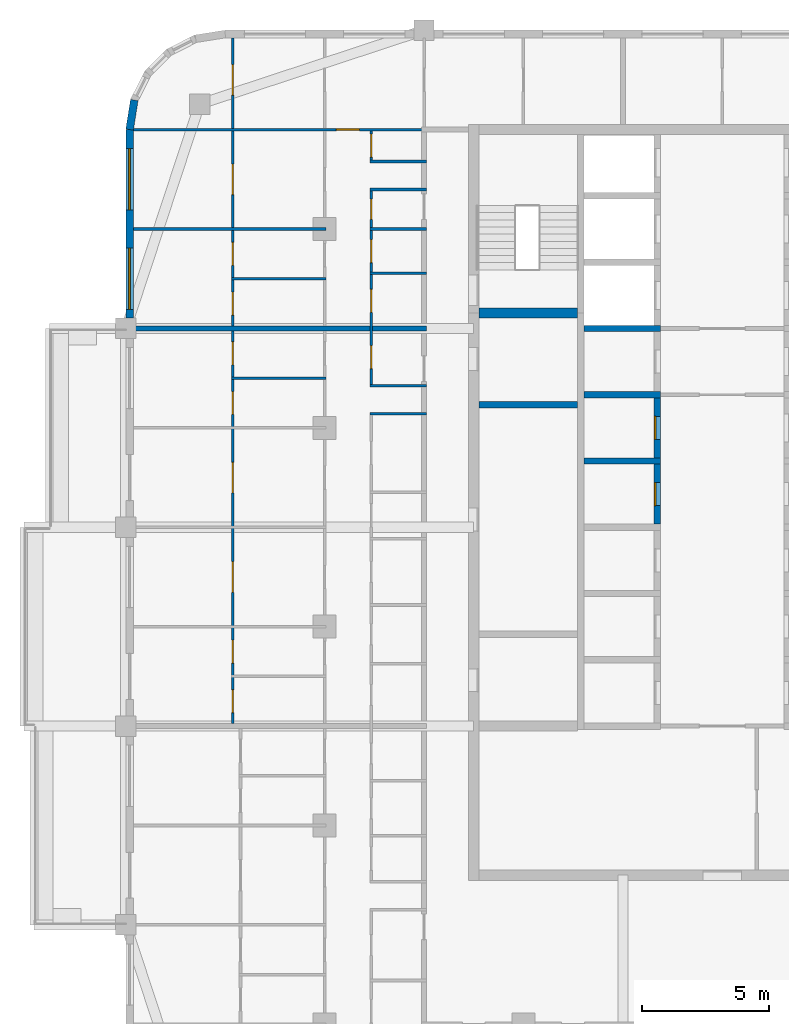
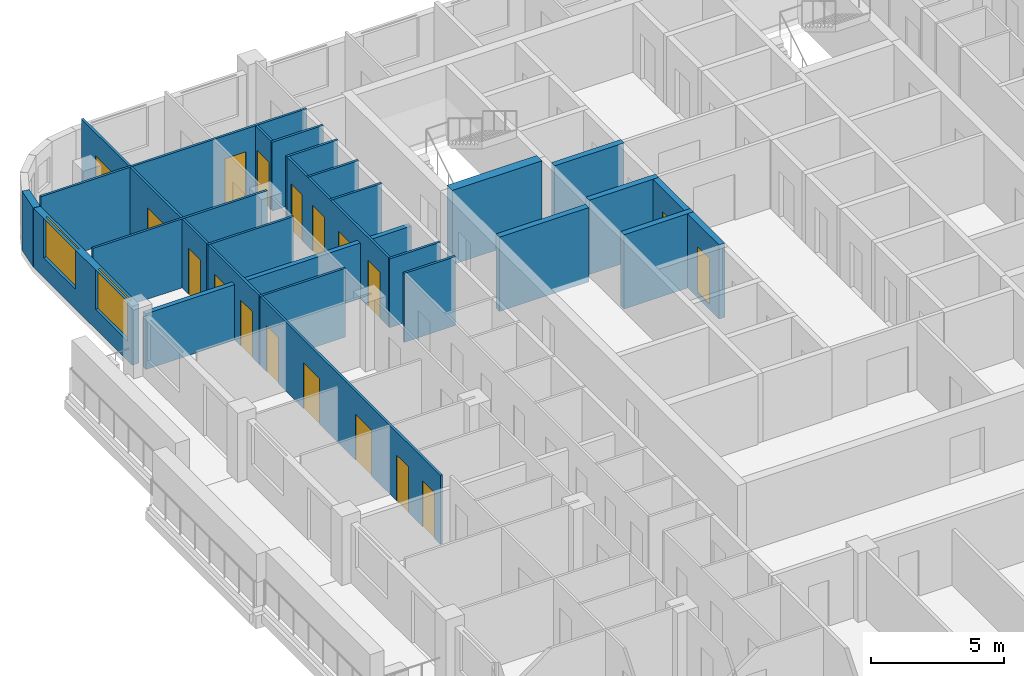
# One storey, part 8 of 16: 23 walls, 18 doors, 2 windows, 20 openings.
"""IFC4 building model written with IfcOpenShell, lengths in metres."""

from ifc_helpers import new_model, si_unit, direction, frame, frame_2d, origin, place, context, subcontext, project, spatial, rectangle, extrude, material, layer, layer_set, type_object, element, fill, save


model = new_model("IFC4")

# Units and contexts
model_context = context("Model", 3, precision=1e-05, world=origin(), true_north=direction((0.0, 1.0)))
body_context = subcontext(model_context, "Body", "Model", "MODEL_VIEW")
ifc_project = project(units=[si_unit("LENGTHUNIT", "METRE"), si_unit("AREAUNIT", "SQUARE_METRE"), si_unit("VOLUMEUNIT", "CUBIC_METRE"), si_unit("PLANEANGLEUNIT", "RADIAN"), si_unit("MASSUNIT", "GRAM", prefix="KILO")], contexts=[model_context])

# Site, building, storey
site_placement = place(None, origin())
site = spatial("IfcSite", under=ifc_project, at=site_placement, CompositionType="ELEMENT")
building_placement = place(site_placement, origin())
building = spatial("IfcBuilding", under=site, at=building_placement, Name="Ludao Terraces", CompositionType="ELEMENT")
storey_placement = place(building_placement, frame((0.0, 0.0, 204.10009765625)))
storey = spatial("IfcBuildingStorey", under=building, at=storey_placement, Name="L55", CompositionType="ELEMENT", Elevation=204.10009765625)

# Wall, openings, windows
ifc_material_1 = material(Name="Granite cladding", Category="masonry")
ifc_layer_1 = layer(ifc_material_1, 0.0400390625, Category="stone")
ifc_material_2 = material(Name="Mineral wool")
ifc_layer_2 = layer(ifc_material_2, 0.06005859375)
ifc_material_3 = material(Name="Concrete C40", Category="concrete")
ifc_layer_3 = layer(ifc_material_3, 0.199951171875, Category="concrete")
ifc_layer_set_1 = layer_set([ifc_layer_1, ifc_layer_2, ifc_layer_3], Name="ENV Stone-clad wall 300")
wall_type_1 = type_object("IfcWallType", Name="ENV Stone-clad wall 300", PredefinedType="SOLIDWALL", material=ifc_layer_set_1)
wall_1_placement = place(storey_placement, frame((61.75, 77.10009765625, 0.0), z_axis=(0.0, 0.0, 1.0), x_axis=(0.0, 1.0, 0.0)))
wall_1 = element("IfcWall", 1, at=wall_1_placement, inside=storey, type_object=wall_type_1, Name="EW-L55-W5", PredefinedType="SOLIDWALL", context=body_context, shape_type="SweptSolid", body=[
    extrude(rectangle(XDim=7.39990234375, YDim=0.300048828125, at=frame_2d((3.699951171875, 0.0))), origin(), (0.0, 0.0, 1.0), 2.699951171875),
])
opening_1_placement = place(wall_1_placement, frame((0.35009765625, 0.0, 0.89990234375)))
opening_1 = element("IfcOpeningElement", 2, at=opening_1_placement, cuts=wall_1, Name="Opening W1", PredefinedType="OPENING", context=body_context, shape_type="SweptSolid", body=[
    extrude(rectangle(XDim=2.39990234375, YDim=1.800048828125, at=frame_2d((1.199951171875, 0.89990234375))), frame((0.0, 0.16015625, 0.0), z_axis=(0.0, -1.0, 0.0), x_axis=(1.0, 0.0, 0.0)), (0.0, 0.0, 1.0), 0.320068359375),
])
opening_2_placement = place(wall_1_placement, frame((4.25, 0.0, 0.89990234375)))
opening_2 = element("IfcOpeningElement", 3, at=opening_2_placement, cuts=wall_1, Name="Opening W1", PredefinedType="OPENING", context=body_context, shape_type="SweptSolid", body=[
    extrude(rectangle(XDim=2.39990234375, YDim=1.800048828125, at=frame_2d((1.199951171875, 0.89990234375))), frame((0.0, 0.16015625, 0.0), z_axis=(0.0, -1.0, 0.0), x_axis=(1.0, 0.0, 0.0)), (0.0, 0.0, 1.0), 0.320068359375),
])
ifc_material_4 = material(Name="Clear glass in aluminium frame", Category="aluminium")
ifc_layer_4 = layer(ifc_material_4, 0.06005859375)
ifc_layer_set_2 = layer_set([ifc_layer_4], Name="ENV Window W1 2400x1800")
window_type = type_object("IfcWindowType", Name="ENV Window W1 2400x1800", PartitioningType="DOUBLE_PANEL_VERTICAL", PredefinedType="WINDOW", material=ifc_layer_set_2)
window_1_placement = place(opening_1_placement, origin())
window_1 = element("IfcWindow", 4, at=window_1_placement, inside=storey, type_object=window_type, Name="W-L55-W5-1", OverallHeight=1.800048828125, OverallWidth=2.39990234375, PartitioningType="DOUBLE_PANEL_VERTICAL", PredefinedType="WINDOW", context=body_context, shape_type="SweptSolid", body=[
    extrude(rectangle(XDim=2.39990234375, YDim=1.800048828125, at=frame_2d((1.199951171875, 0.89990234375))), frame((0.0, 0.030029296875, 0.0), z_axis=(0.0, -1.0, 0.0), x_axis=(1.0, 0.0, 0.0)), (0.0, 0.0, 1.0), 0.06005859375),
])
fill(opening_1, window_1)
window_2_placement = place(opening_2_placement, origin())
window_2 = element("IfcWindow", 5, at=window_2_placement, inside=storey, type_object=window_type, Name="W-L55-W5-2", OverallHeight=1.800048828125, OverallWidth=2.39990234375, PartitioningType="DOUBLE_PANEL_VERTICAL", PredefinedType="WINDOW", context=body_context, shape_type="SweptSolid", body=[
    extrude(rectangle(XDim=2.39990234375, YDim=1.800048828125, at=frame_2d((1.199951171875, 0.89990234375))), frame((0.0, 0.030029296875, 0.0), z_axis=(0.0, -1.0, 0.0), x_axis=(1.0, 0.0, 0.0)), (0.0, 0.0, 1.0), 0.06005859375),
])
fill(opening_2, window_2)

# Walls
wall_2_placement = place(storey_placement, frame((61.93359375, 85.65869140625, 0.0), z_axis=(0.0, 0.0, 1.0), x_axis=(-0.156496880861, -0.987678452879, 0.0)))
element("IfcWall", 6, at=wall_2_placement, inside=storey, type_object=wall_type_1, Name="EW-L55-NW5", PredefinedType="SOLIDWALL", context=body_context, shape_type="SweptSolid", body=[
    extrude(rectangle(XDim=1.173095703125, YDim=0.300048828125, at=frame_2d((0.58642578125, 0.0))), origin(), (0.0, 0.0, 1.0), 2.699951171875),
])
ifc_material_5 = material(Name="Gypsum plasterboard", Category="gypsum")
ifc_layer_5 = layer(ifc_material_5, 0.012451171875, Category="gypsum")
ifc_layer_6 = layer(ifc_material_2, 0.06005859375, Name="insulation")
ifc_material_6 = material(Name="Steel Q235", Category="steel")
ifc_layer_7 = layer(ifc_material_6, 0.014892578125, Name="stud")
ifc_layer_8 = layer(ifc_material_5, 0.012451171875, Category="gypsum")
ifc_layer_set_3 = layer_set([ifc_layer_5, ifc_layer_6, ifc_layer_7, ifc_layer_8], Name="INT Partition 100")
wall_type_2 = type_object("IfcWallType", Name="INT Partition 100", PredefinedType="PARTITIONING", material=ifc_layer_set_3)
for number, where, z_axis, x_axis, name in (
    (7, (71.18017578125, 73.35009765625, 0.0), (0.0, 0.0, 1.0), (1.0, 0.0, 0.0), "PW-L55-PW046"),
    (8, (71.18017578125, 74.449951171875, 0.0), (0.0, 0.0, 1.0), (1.0, 0.0, 0.0), "PW-L55-PW048"),
):
    element("IfcWall", number, at=place(storey_placement, frame(where, z_axis=z_axis, x_axis=x_axis)), inside=storey, type_object=wall_type_2, Name=name, PredefinedType="PARTITIONING", context=body_context, shape_type="SweptSolid", body=[
        extrude(rectangle(XDim=2.219970703125, YDim=0.10009765625, at=frame_2d((1.10986328125, 0.0))), origin(), (0.0, 0.0, 1.0), 3.14990234375),
    ])
for number, where, z_axis, x_axis, name in (
    (9, (65.75, 74.75, 0.0), (0.0, 0.0, 1.0), (1.0, 0.0, 0.0), "PW-L55-PW049"),
    (10, (65.75, 78.64990234375, 0.0), (0.0, 0.0, 1.0), (1.0, 0.0, 0.0), "PW-L55-PW057"),
):
    element("IfcWall", number, at=place(storey_placement, frame(where, z_axis=z_axis, x_axis=x_axis)), inside=storey, type_object=wall_type_2, Name=name, PredefinedType="PARTITIONING", context=body_context, shape_type="SweptSolid", body=[
        extrude(rectangle(XDim=3.7001953125, YDim=0.10009765625, at=frame_2d((1.85009765625, 0.0))), origin(), (0.0, 0.0, 1.0), 3.14990234375),
    ])
wall_3_placement = place(storey_placement, frame((71.18017578125, 78.8701171875, 0.0), z_axis=(0.0, 0.0, 1.0), x_axis=(1.0, 0.0, 0.0)))
element("IfcWall", 11, at=wall_3_placement, inside=storey, type_object=wall_type_2, Name="PW-L55-PW058", PredefinedType="PARTITIONING", context=body_context, shape_type="SweptSolid", body=[
    extrude(rectangle(XDim=2.219970703125, YDim=0.10009765625, at=frame_2d((1.10986328125, 0.0))), origin(), (0.0, 0.0, 1.0), 3.14990234375),
])
wall_4_placement = place(storey_placement, frame((61.900146484375, 80.60009765625, 0.0), z_axis=(0.0, 0.0, 1.0), x_axis=(1.0, 0.0, 0.0)))
element("IfcWall", 12, at=wall_4_placement, inside=storey, type_object=wall_type_2, Name="PW-L55-PW059", PredefinedType="PARTITIONING", context=body_context, shape_type="SweptSolid", body=[
    extrude(rectangle(XDim=7.550048828125, YDim=0.10009765625, at=frame_2d((3.77490234375, 0.0))), origin(), (0.0, 0.0, 1.0), 3.14990234375),
])
for number, where, z_axis, x_axis, name in (
    (13, (71.18017578125, 80.60009765625, 0.0), (0.0, 0.0, 1.0), (1.0, 0.0, 0.0), "PW-L55-PW060"),
    (14, (71.18017578125, 82.14990234375, 0.0), (0.0, 0.0, 1.0), (1.0, 0.0, 0.0), "PW-L55-PW063"),
    (15, (71.18017578125, 83.25, 0.0), (0.0, 0.0, 1.0), (1.0, 0.0, 0.0), "PW-L55-PW065"),
):
    element("IfcWall", number, at=place(storey_placement, frame(where, z_axis=z_axis, x_axis=x_axis)), inside=storey, type_object=wall_type_2, Name=name, PredefinedType="PARTITIONING", context=body_context, shape_type="SweptSolid", body=[
        extrude(rectangle(XDim=2.219970703125, YDim=0.10009765625, at=frame_2d((1.10986328125, 0.0))), origin(), (0.0, 0.0, 1.0), 3.14990234375),
    ])

# Wall, opening, door
wall_5_placement = place(storey_placement, frame((61.900146484375, 84.5, 0.0), z_axis=(0.0, 0.0, 1.0), x_axis=(1.0, 0.0, 0.0)))
wall_5 = element("IfcWall", 16, at=wall_5_placement, inside=storey, type_object=wall_type_2, Name="PW-L55-PW066", PredefinedType="PARTITIONING", context=body_context, shape_type="SweptSolid", body=[
    extrude(rectangle(XDim=11.5, YDim=0.10009765625, at=frame_2d((5.75, 0.0))), origin(), (0.0, 0.0, 1.0), 3.14990234375),
])
opening_3_placement = place(wall_5_placement, frame((7.965087890625, 0.0, 0.0)))
opening_3 = element("IfcOpeningElement", 17, at=opening_3_placement, cuts=wall_5, Name="Opening R20-131", PredefinedType="OPENING", context=body_context, shape_type="SweptSolid", body=[
    extrude(rectangle(XDim=0.89990234375, YDim=2.10009765625, at=frame_2d((0.449951171875, 1.050048828125))), frame((0.0, 0.06005859375, 0.0), z_axis=(0.0, -1.0, 0.0), x_axis=(1.0, 0.0, 0.0)), (0.0, 0.0, 1.0), 0.1201171875),
])
ifc_material_7 = material(Name="Timber door leaf", Category="wood")
door_type_1 = type_object("IfcDoorType", Name="INT Room door 900", OperationType="SINGLE_SWING_LEFT", PredefinedType="DOOR", material=ifc_material_7)
door_1_placement = place(opening_3_placement, origin())
door_1 = element("IfcDoor", 18, at=door_1_placement, inside=storey, type_object=door_type_1, Name="DOOR 131", OperationType="SINGLE_SWING_RIGHT", OverallHeight=2.10009765625, OverallWidth=0.89990234375, PredefinedType="DOOR", context=body_context, shape_type="SweptSolid", body=[
    extrude(rectangle(XDim=0.89990234375, YDim=2.10009765625, at=frame_2d((0.449951171875, 1.050048828125))), frame((0.0, 0.02490234375, 0.0), z_axis=(0.0, -1.0, 0.0), x_axis=(1.0, 0.0, 0.0)), (0.0, 0.0, 1.0), 0.050048828125),
])
fill(opening_3, door_1)

# Wall, openings, doors
wall_6_placement = place(storey_placement, frame((65.800048828125, 61.2001953125, 0.0), z_axis=(0.0, 0.0, 1.0), x_axis=(0.0, 1.0, 0.0)))
wall_6 = element("IfcWall", 19, at=wall_6_placement, inside=storey, type_object=wall_type_2, Name="PW-L55-PW070", PredefinedType="PARTITIONING", context=body_context, shape_type="SweptSolid", body=[
    extrude(rectangle(XDim=26.89990234375, YDim=0.10009765625, at=frame_2d((13.449951171875, 0.0))), origin(), (0.0, 0.0, 1.0), 3.14990234375),
])
opening_4_placement = place(wall_6_placement, frame((0.4248046875, 0.0, 0.0)))
opening_4 = element("IfcOpeningElement", 20, at=opening_4_placement, cuts=wall_6, Name="Opening R20-051", PredefinedType="OPENING", context=body_context, shape_type="SweptSolid", body=[
    extrude(rectangle(XDim=0.89990234375, YDim=2.10009765625, at=frame_2d((0.449951171875, 1.050048828125))), frame((0.0, 0.06005859375, 0.0), z_axis=(0.0, -1.0, 0.0), x_axis=(1.0, 0.0, 0.0)), (0.0, 0.0, 1.0), 0.1201171875),
])
opening_5_placement = place(wall_6_placement, frame((2.375, 0.0, 0.0)))
opening_5 = element("IfcOpeningElement", 21, at=opening_5_placement, cuts=wall_6, Name="Opening R20-060", PredefinedType="OPENING", context=body_context, shape_type="SweptSolid", body=[
    extrude(rectangle(XDim=0.89990234375, YDim=2.10009765625, at=frame_2d((0.449951171875, 1.050048828125))), frame((0.0, 0.06005859375, 0.0), z_axis=(0.0, -1.0, 0.0), x_axis=(1.0, 0.0, 0.0)), (0.0, 0.0, 1.0), 0.1201171875),
])
opening_6_placement = place(wall_6_placement, frame((5.14990234375, 0.0, 0.0)))
opening_6 = element("IfcOpeningElement", 22, at=opening_6_placement, cuts=wall_6, Name="Opening R20-066", PredefinedType="OPENING", context=body_context, shape_type="SweptSolid", body=[
    extrude(rectangle(XDim=1.199951171875, YDim=2.10009765625, at=frame_2d((0.60009765625, 1.050048828125))), frame((0.0, 0.06005859375, 0.0), z_axis=(0.0, -1.0, 0.0), x_axis=(1.0, 0.0, 0.0)), (0.0, 0.0, 1.0), 0.1201171875),
])
opening_7_placement = place(wall_6_placement, frame((9.0498046875, 0.0, 0.0)))
opening_7 = element("IfcOpeningElement", 23, at=opening_7_placement, cuts=wall_6, Name="Opening R20-080", PredefinedType="OPENING", context=body_context, shape_type="SweptSolid", body=[
    extrude(rectangle(XDim=1.199951171875, YDim=2.10009765625, at=frame_2d((0.60009765625, 1.050048828125))), frame((0.0, 0.06005859375, 0.0), z_axis=(0.0, -1.0, 0.0), x_axis=(1.0, 0.0, 0.0)), (0.0, 0.0, 1.0), 0.1201171875),
])
opening_8_placement = place(wall_6_placement, frame((12.125, 0.0, 0.0)))
opening_8 = element("IfcOpeningElement", 24, at=opening_8_placement, cuts=wall_6, Name="Opening R20-089", PredefinedType="OPENING", context=body_context, shape_type="SweptSolid", body=[
    extrude(rectangle(XDim=0.89990234375, YDim=2.10009765625, at=frame_2d((0.449951171875, 1.050048828125))), frame((0.0, 0.06005859375, 0.0), z_axis=(0.0, -1.0, 0.0), x_axis=(1.0, 0.0, 0.0)), (0.0, 0.0, 1.0), 0.1201171875),
])
opening_9_placement = place(wall_6_placement, frame((14.074951171875, 0.0, 0.0)))
opening_9 = element("IfcOpeningElement", 25, at=opening_9_placement, cuts=wall_6, Name="Opening R20-099", PredefinedType="OPENING", context=body_context, shape_type="SweptSolid", body=[
    extrude(rectangle(XDim=0.89990234375, YDim=2.10009765625, at=frame_2d((0.449951171875, 1.050048828125))), frame((0.0, 0.06005859375, 0.0), z_axis=(0.0, -1.0, 0.0), x_axis=(1.0, 0.0, 0.0)), (0.0, 0.0, 1.0), 0.1201171875),
])
opening_10_placement = place(wall_6_placement, frame((16.02490234375, 0.0, 0.0)))
opening_10 = element("IfcOpeningElement", 26, at=opening_10_placement, cuts=wall_6, Name="Opening R20-105", PredefinedType="OPENING", context=body_context, shape_type="SweptSolid", body=[
    extrude(rectangle(XDim=0.89990234375, YDim=2.10009765625, at=frame_2d((0.449951171875, 1.050048828125))), frame((0.0, 0.06005859375, 0.0), z_axis=(0.0, -1.0, 0.0), x_axis=(1.0, 0.0, 0.0)), (0.0, 0.0, 1.0), 0.1201171875),
])
opening_11_placement = place(wall_6_placement, frame((17.974853515625, 0.0, 0.0)))
opening_11 = element("IfcOpeningElement", 27, at=opening_11_placement, cuts=wall_6, Name="Opening R20-115", PredefinedType="OPENING", context=body_context, shape_type="SweptSolid", body=[
    extrude(rectangle(XDim=0.89990234375, YDim=2.10009765625, at=frame_2d((0.449951171875, 1.050048828125))), frame((0.0, 0.06005859375, 0.0), z_axis=(0.0, -1.0, 0.0), x_axis=(1.0, 0.0, 0.0)), (0.0, 0.0, 1.0), 0.1201171875),
])
opening_12_placement = place(wall_6_placement, frame((20.75, 0.0, 0.0)))
opening_12 = element("IfcOpeningElement", 28, at=opening_12_placement, cuts=wall_6, Name="Opening R20-123", PredefinedType="OPENING", context=body_context, shape_type="SweptSolid", body=[
    extrude(rectangle(XDim=1.199951171875, YDim=2.10009765625, at=frame_2d((0.60009765625, 1.050048828125))), frame((0.0, 0.06005859375, 0.0), z_axis=(0.0, -1.0, 0.0), x_axis=(1.0, 0.0, 0.0)), (0.0, 0.0, 1.0), 0.1201171875),
])
opening_13_placement = place(wall_6_placement, frame((24.64990234375, 0.0, 0.0)))
opening_13 = element("IfcOpeningElement", 29, at=opening_13_placement, cuts=wall_6, Name="Opening R20-133", PredefinedType="OPENING", context=body_context, shape_type="SweptSolid", body=[
    extrude(rectangle(XDim=1.199951171875, YDim=2.10009765625, at=frame_2d((0.60009765625, 1.050048828125))), frame((0.0, 0.06005859375, 0.0), z_axis=(0.0, -1.0, 0.0), x_axis=(1.0, 0.0, 0.0)), (0.0, 0.0, 1.0), 0.1201171875),
])
door_type_2 = type_object("IfcDoorType", Name="INT Bathroom door 900", OperationType="SINGLE_SWING_LEFT", PredefinedType="DOOR", material=ifc_material_7)
door_2_placement = place(opening_4_placement, origin())
door_2 = element("IfcDoor", 30, at=door_2_placement, inside=storey, type_object=door_type_2, Name="DOOR 051", OperationType="SINGLE_SWING_RIGHT", OverallHeight=2.10009765625, OverallWidth=0.89990234375, PredefinedType="DOOR", context=body_context, shape_type="SweptSolid", body=[
    extrude(rectangle(XDim=0.89990234375, YDim=2.10009765625, at=frame_2d((0.449951171875, 1.050048828125))), frame((0.0, 0.02490234375, 0.0), z_axis=(0.0, -1.0, 0.0), x_axis=(1.0, 0.0, 0.0)), (0.0, 0.0, 1.0), 0.050048828125),
])
fill(opening_4, door_2)
door_3_placement = place(opening_8_placement, origin())
door_3 = element("IfcDoor", 31, at=door_3_placement, inside=storey, type_object=door_type_2, Name="DOOR 089", OperationType="SINGLE_SWING_RIGHT", OverallHeight=2.10009765625, OverallWidth=0.89990234375, PredefinedType="DOOR", context=body_context, shape_type="SweptSolid", body=[
    extrude(rectangle(XDim=0.89990234375, YDim=2.10009765625, at=frame_2d((0.449951171875, 1.050048828125))), frame((0.0, 0.02490234375, 0.0), z_axis=(0.0, -1.0, 0.0), x_axis=(1.0, 0.0, 0.0)), (0.0, 0.0, 1.0), 0.050048828125),
])
fill(opening_8, door_3)
door_4_placement = place(opening_10_placement, origin())
door_4 = element("IfcDoor", 32, at=door_4_placement, inside=storey, type_object=door_type_2, Name="DOOR 105", OperationType="SINGLE_SWING_RIGHT", OverallHeight=2.10009765625, OverallWidth=0.89990234375, PredefinedType="DOOR", context=body_context, shape_type="SweptSolid", body=[
    extrude(rectangle(XDim=0.89990234375, YDim=2.10009765625, at=frame_2d((0.449951171875, 1.050048828125))), frame((0.0, 0.02490234375, 0.0), z_axis=(0.0, -1.0, 0.0), x_axis=(1.0, 0.0, 0.0)), (0.0, 0.0, 1.0), 0.050048828125),
])
fill(opening_10, door_4)
door_type_3 = type_object("IfcDoorType", Name="INT Double door 1200", OperationType="DOUBLE_DOOR_SINGLE_SWING", PredefinedType="DOOR", material=ifc_material_7)
door_5_placement = place(opening_6_placement, origin())
door_5 = element("IfcDoor", 33, at=door_5_placement, inside=storey, type_object=door_type_3, Name="DOOR 066", OperationType="DOUBLE_DOOR_SINGLE_SWING", OverallHeight=2.10009765625, OverallWidth=1.199951171875, PredefinedType="DOOR", context=body_context, shape_type="SweptSolid", body=[
    extrude(rectangle(XDim=1.199951171875, YDim=2.10009765625, at=frame_2d((0.60009765625, 1.050048828125))), frame((0.0, 0.02490234375, 0.0), z_axis=(0.0, -1.0, 0.0), x_axis=(1.0, 0.0, 0.0)), (0.0, 0.0, 1.0), 0.050048828125),
])
fill(opening_6, door_5)
door_6_placement = place(opening_7_placement, origin())
door_6 = element("IfcDoor", 34, at=door_6_placement, inside=storey, type_object=door_type_3, Name="DOOR 080", OperationType="DOUBLE_DOOR_SINGLE_SWING", OverallHeight=2.10009765625, OverallWidth=1.199951171875, PredefinedType="DOOR", context=body_context, shape_type="SweptSolid", body=[
    extrude(rectangle(XDim=1.199951171875, YDim=2.10009765625, at=frame_2d((0.60009765625, 1.050048828125))), frame((0.0, 0.02490234375, 0.0), z_axis=(0.0, -1.0, 0.0), x_axis=(1.0, 0.0, 0.0)), (0.0, 0.0, 1.0), 0.050048828125),
])
fill(opening_7, door_6)
door_7_placement = place(opening_12_placement, origin())
door_7 = element("IfcDoor", 35, at=door_7_placement, inside=storey, type_object=door_type_3, Name="DOOR 123", OperationType="DOUBLE_DOOR_SINGLE_SWING", OverallHeight=2.10009765625, OverallWidth=1.199951171875, PredefinedType="DOOR", context=body_context, shape_type="SweptSolid", body=[
    extrude(rectangle(XDim=1.199951171875, YDim=2.10009765625, at=frame_2d((0.60009765625, 1.050048828125))), frame((0.0, 0.02490234375, 0.0), z_axis=(0.0, -1.0, 0.0), x_axis=(1.0, 0.0, 0.0)), (0.0, 0.0, 1.0), 0.050048828125),
])
fill(opening_12, door_7)
door_8_placement = place(opening_13_placement, origin())
door_8 = element("IfcDoor", 36, at=door_8_placement, inside=storey, type_object=door_type_3, Name="DOOR 133", OperationType="DOUBLE_DOOR_SINGLE_SWING", OverallHeight=2.10009765625, OverallWidth=1.199951171875, PredefinedType="DOOR", context=body_context, shape_type="SweptSolid", body=[
    extrude(rectangle(XDim=1.199951171875, YDim=2.10009765625, at=frame_2d((0.60009765625, 1.050048828125))), frame((0.0, 0.02490234375, 0.0), z_axis=(0.0, -1.0, 0.0), x_axis=(1.0, 0.0, 0.0)), (0.0, 0.0, 1.0), 0.050048828125),
])
fill(opening_13, door_8)
door_9_placement = place(opening_5_placement, origin())
door_9 = element("IfcDoor", 37, at=door_9_placement, inside=storey, type_object=door_type_1, Name="DOOR 060", OperationType="SINGLE_SWING_RIGHT", OverallHeight=2.10009765625, OverallWidth=0.89990234375, PredefinedType="DOOR", context=body_context, shape_type="SweptSolid", body=[
    extrude(rectangle(XDim=0.89990234375, YDim=2.10009765625, at=frame_2d((0.449951171875, 1.050048828125))), frame((0.0, 0.02490234375, 0.0), z_axis=(0.0, -1.0, 0.0), x_axis=(1.0, 0.0, 0.0)), (0.0, 0.0, 1.0), 0.050048828125),
])
fill(opening_5, door_9)
door_10_placement = place(opening_9_placement, origin())
door_10 = element("IfcDoor", 38, at=door_10_placement, inside=storey, type_object=door_type_1, Name="DOOR 099", OperationType="SINGLE_SWING_LEFT", OverallHeight=2.10009765625, OverallWidth=0.89990234375, PredefinedType="DOOR", context=body_context, shape_type="SweptSolid", body=[
    extrude(rectangle(XDim=0.89990234375, YDim=2.10009765625, at=frame_2d((0.449951171875, 1.050048828125))), frame((0.0, 0.02490234375, 0.0), z_axis=(0.0, -1.0, 0.0), x_axis=(1.0, 0.0, 0.0)), (0.0, 0.0, 1.0), 0.050048828125),
])
fill(opening_9, door_10)
door_11_placement = place(opening_11_placement, origin())
door_11 = element("IfcDoor", 39, at=door_11_placement, inside=storey, type_object=door_type_1, Name="DOOR 115", OperationType="SINGLE_SWING_RIGHT", OverallHeight=2.10009765625, OverallWidth=0.89990234375, PredefinedType="DOOR", context=body_context, shape_type="SweptSolid", body=[
    extrude(rectangle(XDim=0.89990234375, YDim=2.10009765625, at=frame_2d((0.449951171875, 1.050048828125))), frame((0.0, 0.02490234375, 0.0), z_axis=(0.0, -1.0, 0.0), x_axis=(1.0, 0.0, 0.0)), (0.0, 0.0, 1.0), 0.050048828125),
])
fill(opening_11, door_11)

wall_7_placement = place(storey_placement, frame((71.22998046875, 74.5, 0.0), z_axis=(0.0, 0.0, 1.0), x_axis=(0.0, 1.0, 0.0)))
wall_7 = element("IfcWall", 40, at=wall_7_placement, inside=storey, type_object=wall_type_2, Name="PW-L55-PW075", PredefinedType="PARTITIONING", context=body_context, shape_type="SweptSolid", body=[
    extrude(rectangle(XDim=7.60009765625, YDim=0.10009765625, at=frame_2d((3.800048828125, 0.0))), origin(), (0.0, 0.0, 1.0), 3.14990234375),
])
opening_14_placement = place(wall_7_placement, frame((0.625, 0.0, 0.0)))
opening_14 = element("IfcOpeningElement", 41, at=opening_14_placement, cuts=wall_7, Name="Opening R20-098", PredefinedType="OPENING", context=body_context, shape_type="SweptSolid", body=[
    extrude(rectangle(XDim=0.89990234375, YDim=2.10009765625, at=frame_2d((0.449951171875, 1.050048828125))), frame((0.0, 0.06005859375, 0.0), z_axis=(0.0, -1.0, 0.0), x_axis=(1.0, 0.0, 0.0)), (0.0, 0.0, 1.0), 0.1201171875),
])
opening_15_placement = place(wall_7_placement, frame((2.835205078125, 0.0, 0.0)))
opening_15 = element("IfcOpeningElement", 42, at=opening_15_placement, cuts=wall_7, Name="Opening R20-106", PredefinedType="OPENING", context=body_context, shape_type="SweptSolid", body=[
    extrude(rectangle(XDim=0.89990234375, YDim=2.10009765625, at=frame_2d((0.449951171875, 1.050048828125))), frame((0.0, 0.06005859375, 0.0), z_axis=(0.0, -1.0, 0.0), x_axis=(1.0, 0.0, 0.0)), (0.0, 0.0, 1.0), 0.1201171875),
])
opening_16_placement = place(wall_7_placement, frame((4.78515625, 0.0, 0.0)))
opening_16 = element("IfcOpeningElement", 43, at=opening_16_placement, cuts=wall_7, Name="Opening R20-116", PredefinedType="OPENING", context=body_context, shape_type="SweptSolid", body=[
    extrude(rectangle(XDim=0.89990234375, YDim=2.10009765625, at=frame_2d((0.449951171875, 1.050048828125))), frame((0.0, 0.06005859375, 0.0), z_axis=(0.0, -1.0, 0.0), x_axis=(1.0, 0.0, 0.0)), (0.0, 0.0, 1.0), 0.1201171875),
])
opening_17_placement = place(wall_7_placement, frame((6.47509765625, 0.0, 0.0)))
opening_17 = element("IfcOpeningElement", 44, at=opening_17_placement, cuts=wall_7, Name="Opening R20-120", PredefinedType="OPENING", context=body_context, shape_type="SweptSolid", body=[
    extrude(rectangle(XDim=0.800048828125, YDim=2.10009765625, at=frame_2d((0.39990234375, 1.050048828125))), frame((0.0, 0.06005859375, 0.0), z_axis=(0.0, -1.0, 0.0), x_axis=(1.0, 0.0, 0.0)), (0.0, 0.0, 1.0), 0.1201171875),
])
door_12_placement = place(opening_14_placement, origin())
door_12 = element("IfcDoor", 45, at=door_12_placement, inside=storey, type_object=door_type_2, Name="DOOR 098", OperationType="SINGLE_SWING_LEFT", OverallHeight=2.10009765625, OverallWidth=0.89990234375, PredefinedType="DOOR", context=body_context, shape_type="SweptSolid", body=[
    extrude(rectangle(XDim=0.89990234375, YDim=2.10009765625, at=frame_2d((0.449951171875, 1.050048828125))), frame((0.0, 0.02490234375, 0.0), z_axis=(0.0, -1.0, 0.0), x_axis=(1.0, 0.0, 0.0)), (0.0, 0.0, 1.0), 0.050048828125),
])
fill(opening_14, door_12)
door_13_placement = place(opening_16_placement, origin())
door_13 = element("IfcDoor", 46, at=door_13_placement, inside=storey, type_object=door_type_2, Name="DOOR 116", OperationType="SINGLE_SWING_RIGHT", OverallHeight=2.10009765625, OverallWidth=0.89990234375, PredefinedType="DOOR", context=body_context, shape_type="SweptSolid", body=[
    extrude(rectangle(XDim=0.89990234375, YDim=2.10009765625, at=frame_2d((0.449951171875, 1.050048828125))), frame((0.0, 0.02490234375, 0.0), z_axis=(0.0, -1.0, 0.0), x_axis=(1.0, 0.0, 0.0)), (0.0, 0.0, 1.0), 0.050048828125),
])
fill(opening_16, door_13)
door_14_placement = place(opening_15_placement, origin())
door_14 = element("IfcDoor", 47, at=door_14_placement, inside=storey, type_object=door_type_1, Name="DOOR 106", OperationType="SINGLE_SWING_RIGHT", OverallHeight=2.10009765625, OverallWidth=0.89990234375, PredefinedType="DOOR", context=body_context, shape_type="SweptSolid", body=[
    extrude(rectangle(XDim=0.89990234375, YDim=2.10009765625, at=frame_2d((0.449951171875, 1.050048828125))), frame((0.0, 0.02490234375, 0.0), z_axis=(0.0, -1.0, 0.0), x_axis=(1.0, 0.0, 0.0)), (0.0, 0.0, 1.0), 0.050048828125),
])
fill(opening_15, door_14)
door_type_4 = type_object("IfcDoorType", Name="INT Store door 800", OperationType="SINGLE_SWING_LEFT", PredefinedType="DOOR", material=ifc_material_7)
door_15_placement = place(opening_17_placement, origin())
door_15 = element("IfcDoor", 48, at=door_15_placement, inside=storey, type_object=door_type_4, Name="DOOR 120", OperationType="SINGLE_SWING_RIGHT", OverallHeight=2.10009765625, OverallWidth=0.800048828125, PredefinedType="DOOR", context=body_context, shape_type="SweptSolid", body=[
    extrude(rectangle(XDim=0.800048828125, YDim=2.10009765625, at=frame_2d((0.39990234375, 1.050048828125))), frame((0.0, 0.02490234375, 0.0), z_axis=(0.0, -1.0, 0.0), x_axis=(1.0, 0.0, 0.0)), (0.0, 0.0, 1.0), 0.050048828125),
])
fill(opening_17, door_15)

# Wall, opening, door
wall_8_placement = place(storey_placement, frame((71.22998046875, 83.300048828125, 0.0), z_axis=(0.0, 0.0, 1.0), x_axis=(0.0, 1.0, 0.0)))
wall_8 = element("IfcWall", 49, at=wall_8_placement, inside=storey, type_object=wall_type_2, Name="PW-L55-PW076", PredefinedType="PARTITIONING", context=body_context, shape_type="SweptSolid", body=[
    extrude(rectangle(XDim=1.150146484375, YDim=0.10009765625, at=frame_2d((0.5751953125, 0.0))), origin(), (0.0, 0.0, 1.0), 3.14990234375),
])
opening_18_placement = place(wall_8_placement, frame((0.125, 0.0, 0.0)))
opening_18 = element("IfcOpeningElement", 50, at=opening_18_placement, cuts=wall_8, Name="Opening R20-130", PredefinedType="OPENING", context=body_context, shape_type="SweptSolid", body=[
    extrude(rectangle(XDim=0.89990234375, YDim=2.10009765625, at=frame_2d((0.449951171875, 1.050048828125))), frame((0.0, 0.06005859375, 0.0), z_axis=(0.0, -1.0, 0.0), x_axis=(1.0, 0.0, 0.0)), (0.0, 0.0, 1.0), 0.1201171875),
])
door_16_placement = place(opening_18_placement, origin())
door_16 = element("IfcDoor", 51, at=door_16_placement, inside=storey, type_object=door_type_2, Name="DOOR 130", OperationType="SINGLE_SWING_RIGHT", OverallHeight=2.10009765625, OverallWidth=0.89990234375, PredefinedType="DOOR", context=body_context, shape_type="SweptSolid", body=[
    extrude(rectangle(XDim=0.89990234375, YDim=2.10009765625, at=frame_2d((0.449951171875, 1.050048828125))), frame((0.0, 0.02490234375, 0.0), z_axis=(0.0, -1.0, 0.0), x_axis=(1.0, 0.0, 0.0)), (0.0, 0.0, 1.0), 0.050048828125),
])
fill(opening_18, door_16)

# Wall
ifc_material_8 = material(Name="Autoclaved aerated concrete block B06 A3.5", Category="concrete")
ifc_layer_9 = layer(ifc_material_8, 0.199951171875)
ifc_layer_set_4 = layer_set([ifc_layer_9], Name="INT Party wall 200")
wall_type_3 = type_object("IfcWallType", Name="INT Party wall 200", PredefinedType="PARTITIONING", material=ifc_layer_set_4)
wall_9_placement = place(storey_placement, frame((61.900146484375, 76.699951171875, 0.0), z_axis=(0.0, 0.0, 1.0), x_axis=(1.0, 0.0, 0.0)))
element("IfcWall", 52, at=wall_9_placement, inside=storey, type_object=wall_type_3, Name="PW-L55-PW052", PredefinedType="PARTITIONING", context=body_context, shape_type="SweptSolid", body=[
    extrude(rectangle(XDim=11.5, YDim=0.199951171875, at=frame_2d((5.75, 0.0))), origin(), (0.0, 0.0, 1.0), 2.5498046875),
])

# Wall, opening, door
ifc_material_9 = material(Name="Concrete C50", Category="concrete")
ifc_layer_10 = layer(ifc_material_9, 0.25)
ifc_layer_set_5 = layer_set([ifc_layer_10], Name="Shaft wall 250 C50")
wall_type_4 = type_object("IfcWallType", Name="Shaft wall 250 C50", PredefinedType="SOLIDWALL", material=ifc_layer_set_5)
wall_10_placement = place(storey_placement, frame((82.449951171875, 69.02490234375, -0.25), z_axis=(0.0, 0.0, 1.0), x_axis=(0.0, 1.0, 0.0)))
wall_10 = element("IfcWall", 53, at=wall_10_placement, inside=storey, type_object=wall_type_4, Name="Core wall L55 front-W4", PredefinedType="SOLIDWALL", context=body_context, shape_type="SweptSolid", body=[
    extrude(rectangle(XDim=2.35009765625, YDim=0.25, at=frame_2d((1.175048828125, 0.0))), origin(), (0.0, 0.0, 1.0), 3.39990234375),
])
opening_19_placement = place(wall_10_placement, frame((0.72509765625, 0.0, 0.25)))
opening_19 = element("IfcOpeningElement", 54, at=opening_19_placement, cuts=wall_10, Name="Opening R20-078", PredefinedType="OPENING", context=body_context, shape_type="SweptSolid", body=[
    extrude(rectangle(XDim=0.89990234375, YDim=2.10009765625, at=frame_2d((0.449951171875, 1.050048828125))), frame((0.0, 0.135009765625, 0.0), z_axis=(0.0, -1.0, 0.0), x_axis=(1.0, 0.0, 0.0)), (0.0, 0.0, 1.0), 0.27001953125),
])
door_17_placement = place(opening_19_placement, origin())
door_17 = element("IfcDoor", 55, at=door_17_placement, inside=storey, type_object=door_type_1, Name="DOOR 078", OperationType="SINGLE_SWING_RIGHT", OverallHeight=2.10009765625, OverallWidth=0.89990234375, PredefinedType="DOOR", context=body_context, shape_type="SweptSolid", body=[
    extrude(rectangle(XDim=0.89990234375, YDim=2.10009765625, at=frame_2d((0.449951171875, 1.050048828125))), frame((0.0, 0.10986328125, 0.0), z_axis=(0.0, -1.0, 0.0), x_axis=(1.0, 0.0, 0.0)), (0.0, 0.0, 1.0), 0.050048828125),
])
fill(opening_19, door_17)

# Wall
wall_11_placement = place(storey_placement, frame((79.574951171875, 71.5, -0.25), z_axis=(0.0, 0.0, 1.0), x_axis=(1.0, 0.0, 0.0)))
element("IfcWall", 56, at=wall_11_placement, inside=storey, type_object=wall_type_4, Name="Core wall L55 div-W5", PredefinedType="SOLIDWALL", context=body_context, shape_type="SweptSolid", body=[
    extrude(rectangle(XDim=3.0, YDim=0.25, at=frame_2d((1.5, 0.0))), origin(), (0.0, 0.0, 1.0), 3.39990234375),
])

# Wall, opening, door
wall_12_placement = place(storey_placement, frame((82.449951171875, 71.625, -0.25), z_axis=(0.0, 0.0, 1.0), x_axis=(0.0, 1.0, 0.0)))
wall_12 = element("IfcWall", 57, at=wall_12_placement, inside=storey, type_object=wall_type_4, Name="Core wall L55 front-W5", PredefinedType="SOLIDWALL", context=body_context, shape_type="SweptSolid", body=[
    extrude(rectangle(XDim=2.35009765625, YDim=0.25, at=frame_2d((1.175048828125, 0.0))), origin(), (0.0, 0.0, 1.0), 3.39990234375),
])
opening_20_placement = place(wall_12_placement, frame((0.72509765625, 0.0, 0.25)))
opening_20 = element("IfcOpeningElement", 58, at=opening_20_placement, cuts=wall_12, Name="Opening R20-087", PredefinedType="OPENING", context=body_context, shape_type="SweptSolid", body=[
    extrude(rectangle(XDim=0.89990234375, YDim=2.10009765625, at=frame_2d((0.449951171875, 1.050048828125))), frame((0.0, 0.135009765625, 0.0), z_axis=(0.0, -1.0, 0.0), x_axis=(1.0, 0.0, 0.0)), (0.0, 0.0, 1.0), 0.27001953125),
])
door_18_placement = place(opening_20_placement, origin())
door_18 = element("IfcDoor", 59, at=door_18_placement, inside=storey, type_object=door_type_1, Name="DOOR 087", OperationType="SINGLE_SWING_LEFT", OverallHeight=2.10009765625, OverallWidth=0.89990234375, PredefinedType="DOOR", context=body_context, shape_type="SweptSolid", body=[
    extrude(rectangle(XDim=0.89990234375, YDim=2.10009765625, at=frame_2d((0.449951171875, 1.050048828125))), frame((0.0, 0.10986328125, 0.0), z_axis=(0.0, -1.0, 0.0), x_axis=(1.0, 0.0, 0.0)), (0.0, 0.0, 1.0), 0.050048828125),
])
fill(opening_20, door_18)

# Walls
for number, where, z_axis, x_axis, name in (
    (60, (79.574951171875, 74.10009765625, -0.25), (0.0, 0.0, 1.0), (1.0, 0.0, 0.0), "Core wall L55 div-W6"),
    (61, (79.574951171875, 76.699951171875, -0.25), (0.0, 0.0, 1.0), (1.0, 0.0, 0.0), "Core wall L55 div-W7"),
):
    element("IfcWall", number, at=place(storey_placement, frame(where, z_axis=z_axis, x_axis=x_axis)), inside=storey, type_object=wall_type_4, Name=name, PredefinedType="SOLIDWALL", context=body_context, shape_type="SweptSolid", body=[
        extrude(rectangle(XDim=3.0, YDim=0.25, at=frame_2d((1.5, 0.0))), origin(), (0.0, 0.0, 1.0), 3.39990234375),
    ])
wall_13_placement = place(storey_placement, frame((75.449951171875, 73.699951171875, -0.25), z_axis=(0.0, 0.0, 1.0), x_axis=(1.0, 0.0, 0.0)))
element("IfcWall", 62, at=wall_13_placement, inside=storey, type_object=wall_type_4, Name="Core wall L55 riser-b-W", PredefinedType="SOLIDWALL", context=body_context, shape_type="SweptSolid", body=[
    extrude(rectangle(XDim=3.875, YDim=0.25, at=frame_2d((1.9375, 0.0))), origin(), (0.0, 0.0, 1.0), 3.39990234375),
])
ifc_layer_11 = layer(ifc_material_9, 0.39990234375)
ifc_layer_set_6 = layer_set([ifc_layer_11], Name="Shaft wall 400 C50")
wall_type_5 = type_object("IfcWallType", Name="Shaft wall 400 C50", PredefinedType="SOLIDWALL", material=ifc_layer_set_6)
wall_14_placement = place(storey_placement, frame((75.449951171875, 77.300048828125, -0.25), z_axis=(0.0, 0.0, 1.0), x_axis=(1.0, 0.0, 0.0)))
element("IfcWall", 63, at=wall_14_placement, inside=storey, type_object=wall_type_5, Name="Core wall L55 stair-W", PredefinedType="SOLIDWALL", context=body_context, shape_type="SweptSolid", body=[
    extrude(rectangle(XDim=3.875, YDim=0.39990234375, at=frame_2d((1.9375, 0.0))), origin(), (0.0, 0.0, 1.0), 3.39990234375),
])

save(model, "model.ifc")
